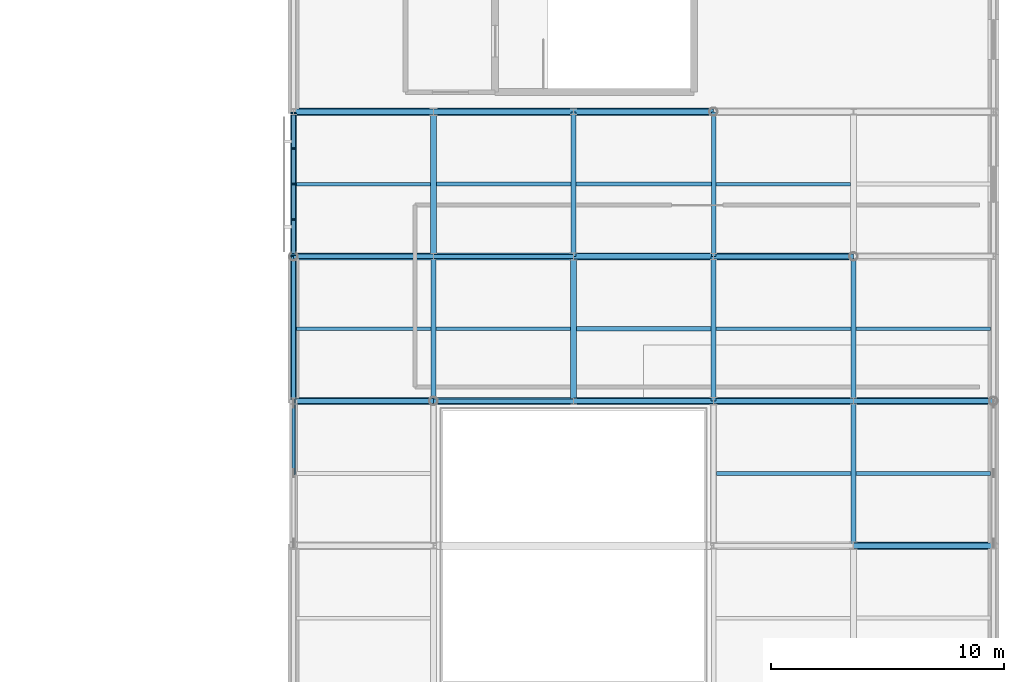
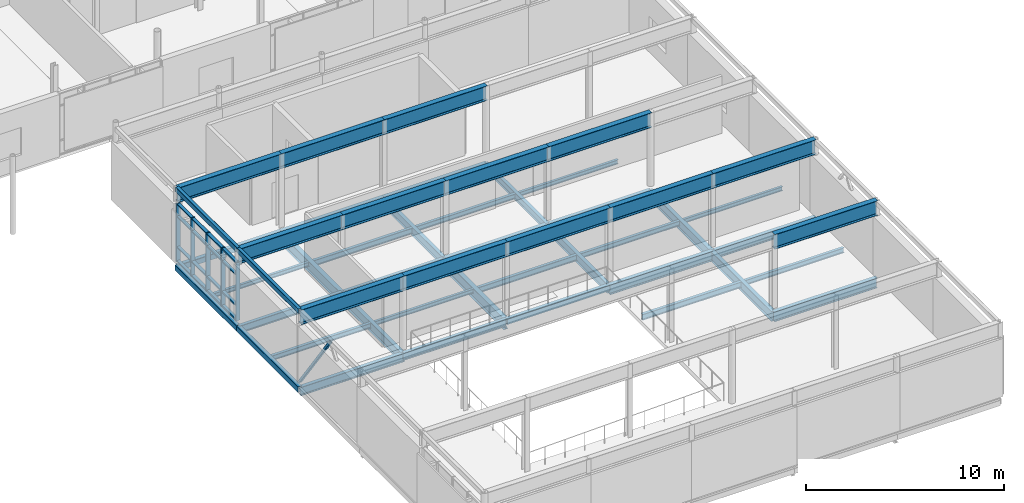
# One storey, part 39 of 84: 49 beams, 22 members, 1 element without a shape of its own.
"""IFC4 building model written with IfcOpenShell, lengths in metres."""

from ifc_helpers import new_model, si_unit, direction, frame, origin, origin_2d, place, context, subcontext, project, spatial, rectangle, hollow_rectangle, i_section, extrude, material, layer, layer_set, material_profile, profile_set, type_object, element, aggregate, save


model = new_model("IFC4")

# Units and contexts
model_context = context("Model", 3, precision=1e-05, world=origin(), true_north=direction((0.0, 1.0)))
body_context = subcontext(model_context, "Body", "Model", "MODEL_VIEW")
ifc_project = project(units=[si_unit("LENGTHUNIT", "METRE"), si_unit("AREAUNIT", "SQUARE_METRE"), si_unit("VOLUMEUNIT", "CUBIC_METRE"), si_unit("PLANEANGLEUNIT", "RADIAN"), si_unit("MASSUNIT", "GRAM", prefix="KILO")], contexts=[model_context])

# Site, building, storey
site_placement = place(None, origin())
site = spatial("IfcSite", under=ifc_project, at=site_placement, CompositionType="ELEMENT")
building_placement = place(site_placement, origin())
building = spatial("IfcBuilding", under=site, at=building_placement, Name="Mirzam Square Science Centre", CompositionType="ELEMENT")
storey_placement = place(building_placement, frame((0.0, 0.0, 10.800048828125)))
storey = spatial("IfcBuildingStorey", under=building, at=storey_placement, Name="L02", CompositionType="ELEMENT", Elevation=10.800048828125)

# Beams
ifc_material_1 = material(Name="Steel S355", Category="steel")
ifc_material_profile_1 = material_profile(ifc_material_1, i_section(OverallWidth=0.1787109375, OverallDepth=0.409423828125, WebThickness=0.0087890625, FlangeThickness=0.014404296875, FilletRadius=0.01025390625, at=origin_2d()), Name="406x178x67UB")
ifc_profile_set_1 = profile_set([ifc_material_profile_1], Name="Steel S355")
beam_type_1 = type_object("IfcBeamType", Name="BM-UB406", PredefinedType="BEAM", material=ifc_profile_set_1)
beam_1_placement = place(storey_placement, frame((138.0, 24.800048828125, -0.46484375), z_axis=(1.0, 0.0, 0.0), x_axis=(0.0, 1.0, 0.0)))
element("IfcBeam", 1, at=beam_1_placement, inside=storey, type_object=beam_type_1, Name="L02 girder X24-5", PredefinedType="BEAM", context=body_context, shape_type="SweptSolid", body=[
    extrude(i_section(OverallWidth=0.1787109375, OverallDepth=0.409423828125, WebThickness=0.0087890625, FlangeThickness=0.014404296875, FilletRadius=0.01025390625, at=origin_2d()), origin(), (0.0, 0.0, 1.0), 6.0),
])
ifc_material_profile_2 = material_profile(ifc_material_1, i_section(OverallWidth=0.19140625, OverallDepth=0.4599609375, WebThickness=0.010009765625, FlangeThickness=0.01611328125, FilletRadius=0.01025390625, at=origin_2d()), Name="457x191x82UB")
ifc_profile_set_2 = profile_set([ifc_material_profile_2], Name="Steel S355")
beam_type_2 = type_object("IfcBeamType", Name="BM-UB457", PredefinedType="BEAM", material=ifc_profile_set_2)
for number, where, z_axis, x_axis, name in (
    (2, (138.0, 18.60009765625, -0.489990234375), (1.0, 0.0, 0.0), (0.0, 1.0, 0.0), "L02 girder X24-4"),
    (3, (132.0, 24.800048828125, -0.489990234375), (1.0, 0.0, 0.0), (0.0, 1.0, 0.0), "L02 girder X23-5"),
):
    element("IfcBeam", number, at=place(storey_placement, frame(where, z_axis=z_axis, x_axis=x_axis)), inside=storey, type_object=beam_type_2, Name=name, PredefinedType="BEAM", context=body_context, shape_type="SweptSolid", body=[
        extrude(i_section(OverallWidth=0.19140625, OverallDepth=0.4599609375, WebThickness=0.010009765625, FlangeThickness=0.01611328125, FilletRadius=0.01025390625, at=origin_2d()), origin(), (0.0, 0.0, 1.0), 6.0),
    ])
beam_2_placement = place(storey_placement, frame((150.0, 24.800048828125, -0.489990234375), z_axis=(0.0, 1.0, 0.0), x_axis=(-1.0, 0.0, 0.0)))
element("IfcBeam", 4, at=beam_2_placement, inside=storey, type_object=beam_type_2, Name="L02 girder Y26-5", PredefinedType="BEAM", context=body_context, shape_type="SweptSolid", body=[
    extrude(i_section(OverallWidth=0.19140625, OverallDepth=0.4599609375, WebThickness=0.010009765625, FlangeThickness=0.01611328125, FilletRadius=0.01025390625, at=origin_2d()), origin(), (0.0, 0.0, 1.0), 6.199951171875),
])
ifc_material_profile_3 = material_profile(ifc_material_1, i_section(OverallWidth=0.2099609375, OverallDepth=0.53662109375, WebThickness=0.0107421875, FlangeThickness=0.017333984375, FilletRadius=0.0126953125, at=origin_2d()), Name="533x210x101UB")
ifc_profile_set_3 = profile_set([ifc_material_profile_3], Name="Steel S355")
beam_type_3 = type_object("IfcBeamType", Name="BM-UB533", PredefinedType="BEAM", material=ifc_profile_set_3)
for number, where, z_axis, x_axis, name in (
    (5, (132.0, 18.60009765625, -0.528564453125), (1.0, 0.0, 0.0), (0.0, 1.0, 0.0), "L02 girder X23-4"),
    (6, (156.0, 18.60009765625, -0.528564453125), (1.0, 0.0, 0.0), (0.0, 1.0, 0.0), "L02 girder X27-4"),
    (7, (150.0, 24.800048828125, -0.528564453125), (1.0, 0.0, 0.0), (0.0, 1.0, 0.0), "L02 girder X26-5"),
):
    element("IfcBeam", number, at=place(storey_placement, frame(where, z_axis=z_axis, x_axis=x_axis)), inside=storey, type_object=beam_type_3, Name=name, PredefinedType="BEAM", context=body_context, shape_type="SweptSolid", body=[
        extrude(i_section(OverallWidth=0.2099609375, OverallDepth=0.53662109375, WebThickness=0.0107421875, FlangeThickness=0.017333984375, FilletRadius=0.0126953125, at=origin_2d()), origin(), (0.0, 0.0, 1.0), 6.0),
    ])
for number, where, z_axis, x_axis, name in (
    (8, (144.0, 24.800048828125, -0.528564453125), (0.0, 1.0, 0.0), (-1.0, 0.0, 0.0), "L02 girder Y25-5"),
    (9, (150.0, 18.60009765625, -0.528564453125), (0.0, 1.0, 0.0), (-1.0, 0.0, 0.0), "L02 girder Y26-4"),
):
    element("IfcBeam", number, at=place(storey_placement, frame(where, z_axis=z_axis, x_axis=x_axis)), inside=storey, type_object=beam_type_3, Name=name, PredefinedType="BEAM", context=body_context, shape_type="SweptSolid", body=[
        extrude(i_section(OverallWidth=0.2099609375, OverallDepth=0.53662109375, WebThickness=0.0107421875, FlangeThickness=0.017333984375, FilletRadius=0.0126953125, at=origin_2d()), origin(), (0.0, 0.0, 1.0), 6.199951171875),
    ])
ifc_material_profile_4 = material_profile(ifc_material_1, i_section(OverallWidth=0.22900390625, OverallDepth=0.6123046875, WebThickness=0.011962890625, FlangeThickness=0.01953125, FilletRadius=0.0126953125, at=origin_2d()), Name="610x229x125UB")
ifc_profile_set_4 = profile_set([ifc_material_profile_4], Name="Steel S355")
beam_type_4 = type_object("IfcBeamType", Name="BM-UB610", PredefinedType="BEAM", material=ifc_profile_set_4)
for number, where, z_axis, x_axis, name in (
    (10, (156.0, 12.39990234375, -0.566162109375), (1.0, 0.0, 0.0), (0.0, 1.0, 0.0), "L02 girder X27-3"),
    (11, (150.0, 18.60009765625, -0.566162109375), (1.0, 0.0, 0.0), (0.0, 1.0, 0.0), "L02 girder X26-4"),
    (12, (144.0, 24.800048828125, -0.566162109375), (1.0, 0.0, 0.0), (0.0, 1.0, 0.0), "L02 girder X25-5"),
):
    element("IfcBeam", number, at=place(storey_placement, frame(where, z_axis=z_axis, x_axis=x_axis)), inside=storey, type_object=beam_type_4, Name=name, PredefinedType="BEAM", context=body_context, shape_type="SweptSolid", body=[
        extrude(i_section(OverallWidth=0.22900390625, OverallDepth=0.6123046875, WebThickness=0.011962890625, FlangeThickness=0.01953125, FilletRadius=0.0126953125, at=origin_2d()), origin(), (0.0, 0.0, 1.0), 6.0),
    ])
beam_3_placement = place(storey_placement, frame((138.0, 18.60009765625, -0.566162109375), z_axis=(0.0, 1.0, 0.0), x_axis=(-1.0, 0.0, 0.0)))
element("IfcBeam", 13, at=beam_3_placement, inside=storey, type_object=beam_type_4, Name="L02 girder Y24-4", PredefinedType="BEAM", context=body_context, shape_type="SweptSolid", body=[
    extrude(i_section(OverallWidth=0.22900390625, OverallDepth=0.6123046875, WebThickness=0.011962890625, FlangeThickness=0.01953125, FilletRadius=0.0126953125, at=origin_2d()), origin(), (0.0, 0.0, 1.0), 6.199951171875),
])
beam_4_placement = place(storey_placement, frame((156.0, 12.39990234375, -0.566162109375), z_axis=(0.0, 1.0, 0.0), x_axis=(-1.0, 0.0, 0.0)))
element("IfcBeam", 14, at=beam_4_placement, inside=storey, type_object=beam_type_4, Name="L02 girder Y27-3", PredefinedType="BEAM", context=body_context, shape_type="SweptSolid", body=[
    extrude(i_section(OverallWidth=0.22900390625, OverallDepth=0.6123046875, WebThickness=0.011962890625, FlangeThickness=0.01953125, FilletRadius=0.0126953125, at=origin_2d()), origin(), (0.0, 0.0, 1.0), 6.2001953125),
])
beam_5_placement = place(storey_placement, frame((156.0, 18.60009765625, -0.566162109375), z_axis=(0.0, 1.0, 0.0), x_axis=(-1.0, 0.0, 0.0)))
element("IfcBeam", 15, at=beam_5_placement, inside=storey, type_object=beam_type_4, Name="L02 girder Y27-4", PredefinedType="BEAM", context=body_context, shape_type="SweptSolid", body=[
    extrude(i_section(OverallWidth=0.22900390625, OverallDepth=0.6123046875, WebThickness=0.011962890625, FlangeThickness=0.01953125, FilletRadius=0.0126953125, at=origin_2d()), origin(), (0.0, 0.0, 1.0), 6.199951171875),
])
ifc_material_profile_5 = material_profile(ifc_material_1, i_section(OverallWidth=0.25439453125, OverallDepth=0.6875, WebThickness=0.01318359375, FlangeThickness=0.02099609375, FilletRadius=0.01513671875, at=origin_2d()), Name="686x254x152UB")
ifc_profile_set_5 = profile_set([ifc_material_profile_5], Name="Steel S355")
beam_type_5 = type_object("IfcBeamType", Name="BM-UB686", PredefinedType="BEAM", material=ifc_profile_set_5)
for number, where, z_axis, x_axis, name in (
    (16, (138.0, 24.800048828125, -0.603759765625), (0.0, 1.0, 0.0), (-1.0, 0.0, 0.0), "L02 girder Y24-5"),
    (17, (144.0, 18.60009765625, -0.603759765625), (0.0, 1.0, 0.0), (-1.0, 0.0, 0.0), "L02 girder Y25-4"),
):
    element("IfcBeam", number, at=place(storey_placement, frame(where, z_axis=z_axis, x_axis=x_axis)), inside=storey, type_object=beam_type_5, Name=name, PredefinedType="BEAM", context=body_context, shape_type="SweptSolid", body=[
        extrude(i_section(OverallWidth=0.25439453125, OverallDepth=0.6875, WebThickness=0.01318359375, FlangeThickness=0.02099609375, FilletRadius=0.01513671875, at=origin_2d()), origin(), (0.0, 0.0, 1.0), 6.199951171875),
    ])
ifc_material_profile_6 = material_profile(ifc_material_1, i_section(OverallWidth=0.30419921875, OverallDepth=0.910400390625, WebThickness=0.015869140625, FlangeThickness=0.02392578125, FilletRadius=0.01904296875, at=origin_2d()), Name="914x305x224UB")
ifc_profile_set_6 = profile_set([ifc_material_profile_6], Name="Steel S355")
beam_type_6 = type_object("IfcBeamType", Name="BM-UB914", PredefinedType="BEAM", material=ifc_profile_set_6)
for number, where, z_axis, x_axis, name in (
    (18, (156.0, 12.39990234375, 4.07470703125), (1.0, 0.0, 0.0), (0.0, 1.0, 0.0), "Theatre acoustic roof girder 27-3"),
    (19, (132.0, 18.60009765625, 4.07470703125), (1.0, 0.0, 0.0), (0.0, 1.0, 0.0), "Theatre acoustic roof girder 23-4"),
    (20, (138.0, 18.60009765625, 4.07470703125), (1.0, 0.0, 0.0), (0.0, 1.0, 0.0), "Theatre acoustic roof girder 24-4"),
    (21, (144.0, 18.60009765625, 4.07470703125), (1.0, 0.0, 0.0), (0.0, 1.0, 0.0), "Theatre acoustic roof girder 25-4"),
    (22, (150.0, 18.60009765625, 4.07470703125), (1.0, 0.0, 0.0), (0.0, 1.0, 0.0), "Theatre acoustic roof girder 26-4"),
    (23, (156.0, 18.60009765625, 4.07470703125), (1.0, 0.0, 0.0), (0.0, 1.0, 0.0), "Theatre acoustic roof girder 27-4"),
    (24, (132.0, 24.800048828125, 4.07470703125), (1.0, 0.0, 0.0), (0.0, 1.0, 0.0), "Theatre acoustic roof girder 23-5"),
    (25, (138.0, 24.800048828125, 4.07470703125), (1.0, 0.0, 0.0), (0.0, 1.0, 0.0), "Theatre acoustic roof girder 24-5"),
    (26, (144.0, 24.800048828125, 4.07470703125), (1.0, 0.0, 0.0), (0.0, 1.0, 0.0), "Theatre acoustic roof girder 25-5"),
    (27, (150.0, 24.800048828125, 4.07470703125), (1.0, 0.0, 0.0), (0.0, 1.0, 0.0), "Theatre acoustic roof girder 26-5"),
    (28, (132.0, 31.0, 4.07470703125), (1.0, 0.0, 0.0), (0.0, 1.0, 0.0), "Theatre acoustic roof girder 23-6"),
    (29, (138.0, 31.0, 4.07470703125), (1.0, 0.0, 0.0), (0.0, 1.0, 0.0), "Theatre acoustic roof girder 24-6"),
    (30, (144.0, 31.0, 4.07470703125), (1.0, 0.0, 0.0), (0.0, 1.0, 0.0), "Theatre acoustic roof girder 25-6"),
):
    element("IfcBeam", number, at=place(storey_placement, frame(where, z_axis=z_axis, x_axis=x_axis)), inside=storey, type_object=beam_type_6, Name=name, PredefinedType="BEAM", context=body_context, shape_type="SweptSolid", body=[
        extrude(i_section(OverallWidth=0.30419921875, OverallDepth=0.910400390625, WebThickness=0.015869140625, FlangeThickness=0.02392578125, FilletRadius=0.01904296875, at=origin_2d()), origin(), (0.0, 0.0, 1.0), 6.0),
    ])

# Member
ifc_material_profile_7 = material_profile(ifc_material_1, hollow_rectangle(XDim=0.14990234375, YDim=0.14990234375, WallThickness=0.008056640625, InnerFilletRadius=0.008056640625, OuterFilletRadius=0.01611328125, at=origin_2d()), Name="150x150x8.0SHS")
ifc_profile_set_7 = profile_set([ifc_material_profile_7], Name="Steel S355")
member_type_1 = type_object("IfcMemberType", Name="BR-SHS150", PredefinedType="BRACE", material=ifc_profile_set_7)
member_1_placement = place(storey_placement, frame((132.0, 18.60009765625, 0.050048828125), z_axis=(0.0, -0.582152888192, 0.813079341005), x_axis=(1.0, 0.0, 0.0)))
element("IfcMember", 31, at=member_1_placement, inside=storey, type_object=member_type_1, Name="L02 chevron brace 6B", PredefinedType="BRACE", context=body_context, shape_type="SweptSolid", body=[
    extrude(hollow_rectangle(XDim=0.14990234375, YDim=0.14990234375, WallThickness=0.008056640625, InnerFilletRadius=0.008056640625, OuterFilletRadius=0.01611328125, at=origin_2d()), origin(), (0.0, 0.0, 1.0), 5.3251953125),
])

# Curtain wall, members
ifc_material_2 = material(Name="Anodised Aluminium and Low-E Solar Glass", Category="aluminium")
ifc_layer = layer(ifc_material_2, 0.179931640625)
ifc_layer_set = layer_set([ifc_layer], Name="CW-PARK-A")
curtain_wall_type = type_object("IfcCurtainWallType", Name="CW-PARK-A", PredefinedType="USERDEFINED", material=ifc_layer_set)
curtain_wall_placement = place(storey_placement, origin())
curtain_wall = element("IfcCurtainWall", 32, at=curtain_wall_placement, inside=storey, type_object=curtain_wall_type, Name="L02 unitised curtain wall 63", ObjectType="UNITISED CURTAIN WALL", PredefinedType="USERDEFINED")
ifc_material_3 = material(Name="Anodised Architectural Aluminium 6063-T6", Category="aluminium")
ifc_material_profile_8 = material_profile(ifc_material_3, rectangle(XDim=0.074951171875, YDim=0.239990234375, at=origin_2d()), Name="ALU-MULL-240x75x5")
ifc_profile_set_8 = profile_set([ifc_material_profile_8], Name="Anodised Architectural Aluminium 6063-T6")
member_type_2 = type_object("IfcMemberType", Name="CWM-240", PredefinedType="MULLION", material=ifc_profile_set_8)
member_2_placement = place(storey_placement, frame((132.0, 30.907470703125, 0.0), z_axis=(0.0, 0.0, 1.0), x_axis=(0.0, -1.0, 0.0)))
member_2 = element("IfcMember", 33, at=member_2_placement, type_object=member_type_2, Name="CW-01 mullion 1", PredefinedType="MULLION", context=body_context, shape_type="SweptSolid", body=[
    extrude(rectangle(XDim=0.074951171875, YDim=0.239990234375, at=origin_2d()), origin(), (0.0, 0.0, 1.0), 3.579833984375),
])
member_3_placement = place(storey_placement, frame((132.0, 29.422607421875, 0.0), z_axis=(0.0, 0.0, 1.0), x_axis=(0.0, -1.0, 0.0)))
member_3 = element("IfcMember", 34, at=member_3_placement, type_object=member_type_2, Name="CW-01 mullion 2", PredefinedType="MULLION", context=body_context, shape_type="SweptSolid", body=[
    extrude(rectangle(XDim=0.074951171875, YDim=0.239990234375, at=origin_2d()), origin(), (0.0, 0.0, 1.0), 3.579833984375),
])
member_4_placement = place(storey_placement, frame((132.0, 27.89990234375, 0.0), z_axis=(0.0, 0.0, 1.0), x_axis=(0.0, -1.0, 0.0)))
member_4 = element("IfcMember", 35, at=member_4_placement, type_object=member_type_2, Name="CW-01 mullion 3", PredefinedType="MULLION", context=body_context, shape_type="SweptSolid", body=[
    extrude(rectangle(XDim=0.074951171875, YDim=0.239990234375, at=origin_2d()), origin(), (0.0, 0.0, 1.0), 3.579833984375),
])
member_5_placement = place(storey_placement, frame((132.0, 26.37744140625, 0.0), z_axis=(0.0, 0.0, 1.0), x_axis=(0.0, -1.0, 0.0)))
member_5 = element("IfcMember", 36, at=member_5_placement, type_object=member_type_2, Name="CW-01 mullion 4", PredefinedType="MULLION", context=body_context, shape_type="SweptSolid", body=[
    extrude(rectangle(XDim=0.074951171875, YDim=0.239990234375, at=origin_2d()), origin(), (0.0, 0.0, 1.0), 3.579833984375),
])
member_6_placement = place(storey_placement, frame((132.0, 24.892578125, 0.0), z_axis=(0.0, 0.0, 1.0), x_axis=(0.0, -1.0, 0.0)))
member_6 = element("IfcMember", 37, at=member_6_placement, type_object=member_type_2, Name="CW-01 mullion 5", PredefinedType="MULLION", context=body_context, shape_type="SweptSolid", body=[
    extrude(rectangle(XDim=0.074951171875, YDim=0.239990234375, at=origin_2d()), origin(), (0.0, 0.0, 1.0), 3.579833984375),
])
ifc_material_profile_9 = material_profile(ifc_material_3, rectangle(XDim=0.179931640625, YDim=0.074951171875, at=origin_2d()), Name="ALU-TRAN-180x75x5")
ifc_profile_set_9 = profile_set([ifc_material_profile_9], Name="Anodised Architectural Aluminium 6063-T6")
member_type_3 = type_object("IfcMemberType", Name="CWT-180", PredefinedType="USERDEFINED", material=ifc_profile_set_9)
member_7_placement = place(storey_placement, frame((132.0, 30.8701171875, 0.037353515625), z_axis=(0.0, -1.0, 0.0), x_axis=(1.0, 0.0, 0.0)))
member_7 = element("IfcMember", 38, at=member_7_placement, type_object=member_type_3, Name="CW-01 transom 1.1", ObjectType="TRANSOM", PredefinedType="USERDEFINED", context=body_context, shape_type="SweptSolid", body=[
    extrude(rectangle(XDim=0.179931640625, YDim=0.074951171875, at=origin_2d()), origin(), (0.0, 0.0, 1.0), 1.41015625),
])
member_8_placement = place(storey_placement, frame((132.0, 30.8701171875, 0.89990234375), z_axis=(0.0, -1.0, 0.0), x_axis=(1.0, 0.0, 0.0)))
member_8 = element("IfcMember", 39, at=member_8_placement, type_object=member_type_3, Name="CW-01 transom 1.2", ObjectType="TRANSOM", PredefinedType="USERDEFINED", context=body_context, shape_type="SweptSolid", body=[
    extrude(rectangle(XDim=0.179931640625, YDim=0.074951171875, at=origin_2d()), origin(), (0.0, 0.0, 1.0), 1.41015625),
])
member_9_placement = place(storey_placement, frame((132.0, 30.8701171875, 2.780029296875), z_axis=(0.0, -1.0, 0.0), x_axis=(1.0, 0.0, 0.0)))
member_9 = element("IfcMember", 40, at=member_9_placement, type_object=member_type_3, Name="CW-01 transom 1.3", ObjectType="TRANSOM", PredefinedType="USERDEFINED", context=body_context, shape_type="SweptSolid", body=[
    extrude(rectangle(XDim=0.179931640625, YDim=0.074951171875, at=origin_2d()), origin(), (0.0, 0.0, 1.0), 1.41015625),
])
member_10_placement = place(storey_placement, frame((132.0, 30.8701171875, 3.54248046875), z_axis=(0.0, -1.0, 0.0), x_axis=(1.0, 0.0, 0.0)))
member_10 = element("IfcMember", 41, at=member_10_placement, type_object=member_type_3, Name="CW-01 transom 1.4", ObjectType="TRANSOM", PredefinedType="USERDEFINED", context=body_context, shape_type="SweptSolid", body=[
    extrude(rectangle(XDim=0.179931640625, YDim=0.074951171875, at=origin_2d()), origin(), (0.0, 0.0, 1.0), 1.41015625),
])
member_11_placement = place(storey_placement, frame((132.0, 29.385009765625, 0.037353515625), z_axis=(0.0, -1.0, 0.0), x_axis=(1.0, 0.0, 0.0)))
member_11 = element("IfcMember", 42, at=member_11_placement, type_object=member_type_3, Name="CW-01 transom 2.1", ObjectType="TRANSOM", PredefinedType="USERDEFINED", context=body_context, shape_type="SweptSolid", body=[
    extrude(rectangle(XDim=0.179931640625, YDim=0.074951171875, at=origin_2d()), origin(), (0.0, 0.0, 1.0), 1.447509765625),
])
member_12_placement = place(storey_placement, frame((132.0, 29.385009765625, 0.89990234375), z_axis=(0.0, -1.0, 0.0), x_axis=(1.0, 0.0, 0.0)))
member_12 = element("IfcMember", 43, at=member_12_placement, type_object=member_type_3, Name="CW-01 transom 2.2", ObjectType="TRANSOM", PredefinedType="USERDEFINED", context=body_context, shape_type="SweptSolid", body=[
    extrude(rectangle(XDim=0.179931640625, YDim=0.074951171875, at=origin_2d()), origin(), (0.0, 0.0, 1.0), 1.447509765625),
])
member_13_placement = place(storey_placement, frame((132.0, 29.385009765625, 2.780029296875), z_axis=(0.0, -1.0, 0.0), x_axis=(1.0, 0.0, 0.0)))
member_13 = element("IfcMember", 44, at=member_13_placement, type_object=member_type_3, Name="CW-01 transom 2.3", ObjectType="TRANSOM", PredefinedType="USERDEFINED", context=body_context, shape_type="SweptSolid", body=[
    extrude(rectangle(XDim=0.179931640625, YDim=0.074951171875, at=origin_2d()), origin(), (0.0, 0.0, 1.0), 1.447509765625),
])
member_14_placement = place(storey_placement, frame((132.0, 29.385009765625, 3.54248046875), z_axis=(0.0, -1.0, 0.0), x_axis=(1.0, 0.0, 0.0)))
member_14 = element("IfcMember", 45, at=member_14_placement, type_object=member_type_3, Name="CW-01 transom 2.4", ObjectType="TRANSOM", PredefinedType="USERDEFINED", context=body_context, shape_type="SweptSolid", body=[
    extrude(rectangle(XDim=0.179931640625, YDim=0.074951171875, at=origin_2d()), origin(), (0.0, 0.0, 1.0), 1.447509765625),
])
member_15_placement = place(storey_placement, frame((132.0, 27.862548828125, 0.037353515625), z_axis=(0.0, -1.0, 0.0), x_axis=(1.0, 0.0, 0.0)))
member_15 = element("IfcMember", 46, at=member_15_placement, type_object=member_type_3, Name="CW-01 transom 3.1", ObjectType="TRANSOM", PredefinedType="USERDEFINED", context=body_context, shape_type="SweptSolid", body=[
    extrude(rectangle(XDim=0.179931640625, YDim=0.074951171875, at=origin_2d()), origin(), (0.0, 0.0, 1.0), 1.447509765625),
])
member_16_placement = place(storey_placement, frame((132.0, 27.862548828125, 0.89990234375), z_axis=(0.0, -1.0, 0.0), x_axis=(1.0, 0.0, 0.0)))
member_16 = element("IfcMember", 47, at=member_16_placement, type_object=member_type_3, Name="CW-01 transom 3.2", ObjectType="TRANSOM", PredefinedType="USERDEFINED", context=body_context, shape_type="SweptSolid", body=[
    extrude(rectangle(XDim=0.179931640625, YDim=0.074951171875, at=origin_2d()), origin(), (0.0, 0.0, 1.0), 1.447509765625),
])
member_17_placement = place(storey_placement, frame((132.0, 27.862548828125, 2.780029296875), z_axis=(0.0, -1.0, 0.0), x_axis=(1.0, 0.0, 0.0)))
member_17 = element("IfcMember", 48, at=member_17_placement, type_object=member_type_3, Name="CW-01 transom 3.3", ObjectType="TRANSOM", PredefinedType="USERDEFINED", context=body_context, shape_type="SweptSolid", body=[
    extrude(rectangle(XDim=0.179931640625, YDim=0.074951171875, at=origin_2d()), origin(), (0.0, 0.0, 1.0), 1.447509765625),
])
member_18_placement = place(storey_placement, frame((132.0, 27.862548828125, 3.54248046875), z_axis=(0.0, -1.0, 0.0), x_axis=(1.0, 0.0, 0.0)))
member_18 = element("IfcMember", 49, at=member_18_placement, type_object=member_type_3, Name="CW-01 transom 3.4", ObjectType="TRANSOM", PredefinedType="USERDEFINED", context=body_context, shape_type="SweptSolid", body=[
    extrude(rectangle(XDim=0.179931640625, YDim=0.074951171875, at=origin_2d()), origin(), (0.0, 0.0, 1.0), 1.447509765625),
])
member_19_placement = place(storey_placement, frame((132.0, 26.340087890625, 0.037353515625), z_axis=(0.0, -1.0, 0.0), x_axis=(1.0, 0.0, 0.0)))
member_19 = element("IfcMember", 50, at=member_19_placement, type_object=member_type_3, Name="CW-01 transom 4.1", ObjectType="TRANSOM", PredefinedType="USERDEFINED", context=body_context, shape_type="SweptSolid", body=[
    extrude(rectangle(XDim=0.179931640625, YDim=0.074951171875, at=origin_2d()), origin(), (0.0, 0.0, 1.0), 1.41015625),
])
member_20_placement = place(storey_placement, frame((132.0, 26.340087890625, 0.89990234375), z_axis=(0.0, -1.0, 0.0), x_axis=(1.0, 0.0, 0.0)))
member_20 = element("IfcMember", 51, at=member_20_placement, type_object=member_type_3, Name="CW-01 transom 4.2", ObjectType="TRANSOM", PredefinedType="USERDEFINED", context=body_context, shape_type="SweptSolid", body=[
    extrude(rectangle(XDim=0.179931640625, YDim=0.074951171875, at=origin_2d()), origin(), (0.0, 0.0, 1.0), 1.41015625),
])
member_21_placement = place(storey_placement, frame((132.0, 26.340087890625, 2.780029296875), z_axis=(0.0, -1.0, 0.0), x_axis=(1.0, 0.0, 0.0)))
member_21 = element("IfcMember", 52, at=member_21_placement, type_object=member_type_3, Name="CW-01 transom 4.3", ObjectType="TRANSOM", PredefinedType="USERDEFINED", context=body_context, shape_type="SweptSolid", body=[
    extrude(rectangle(XDim=0.179931640625, YDim=0.074951171875, at=origin_2d()), origin(), (0.0, 0.0, 1.0), 1.41015625),
])
member_22_placement = place(storey_placement, frame((132.0, 26.340087890625, 3.54248046875), z_axis=(0.0, -1.0, 0.0), x_axis=(1.0, 0.0, 0.0)))
member_22 = element("IfcMember", 53, at=member_22_placement, type_object=member_type_3, Name="CW-01 transom 4.4", ObjectType="TRANSOM", PredefinedType="USERDEFINED", context=body_context, shape_type="SweptSolid", body=[
    extrude(rectangle(XDim=0.179931640625, YDim=0.074951171875, at=origin_2d()), origin(), (0.0, 0.0, 1.0), 1.41015625),
])
aggregate(curtain_wall, [member_2, member_3, member_4, member_5, member_6, member_7, member_8, member_9, member_10, member_11, member_12, member_13, member_14, member_15, member_16, member_17, member_18, member_19, member_20, member_21, member_22])

# Beams
ifc_material_profile_10 = material_profile(ifc_material_1, i_section(OverallWidth=0.146484375, OverallDepth=0.256103515625, WebThickness=0.00634765625, FlangeThickness=0.010986328125, FilletRadius=0.007568359375, at=origin_2d()), Name="254x146x37UB")
ifc_profile_set_10 = profile_set([ifc_material_profile_10], Name="Steel S355")
beam_type_7 = type_object("IfcBeamType", Name="JS-UB254", PredefinedType="JOIST", material=ifc_profile_set_10)
beam_6_placement = place(storey_placement, frame((132.125, 27.89990234375, -0.387939453125), z_axis=(1.0, 0.0, 0.0), x_axis=(0.0, 1.0, 0.0)))
element("IfcBeam", 54, at=beam_6_placement, inside=storey, type_object=beam_type_7, Name="L02 composite joist 23-5", PredefinedType="JOIST", context=body_context, shape_type="SweptSolid", body=[
    extrude(i_section(OverallWidth=0.146484375, OverallDepth=0.256103515625, WebThickness=0.00634765625, FlangeThickness=0.010986328125, FilletRadius=0.007568359375, at=origin_2d()), origin(), (0.0, 0.0, 1.0), 5.747802734375),
])
beam_7_placement = place(storey_placement, frame((138.114501953125, 21.699951171875, -0.387939453125), z_axis=(1.0, 0.0, 0.0), x_axis=(0.0, 1.0, 0.0)))
element("IfcBeam", 55, at=beam_7_placement, inside=storey, type_object=beam_type_7, Name="L02 composite joist 24-4", PredefinedType="JOIST", context=body_context, shape_type="SweptSolid", body=[
    extrude(i_section(OverallWidth=0.146484375, OverallDepth=0.256103515625, WebThickness=0.00634765625, FlangeThickness=0.010986328125, FilletRadius=0.007568359375, at=origin_2d()), origin(), (0.0, 0.0, 1.0), 5.75830078125),
])
beam_8_placement = place(storey_placement, frame((150.095703125, 27.89990234375, -0.387939453125), z_axis=(1.0, 0.0, 0.0), x_axis=(0.0, 1.0, 0.0)))
element("IfcBeam", 56, at=beam_8_placement, inside=storey, type_object=beam_type_7, Name="L02 composite joist 26-5", PredefinedType="JOIST", context=body_context, shape_type="SweptSolid", body=[
    extrude(i_section(OverallWidth=0.146484375, OverallDepth=0.256103515625, WebThickness=0.00634765625, FlangeThickness=0.010986328125, FilletRadius=0.007568359375, at=origin_2d()), origin(), (0.0, 0.0, 1.0), 5.777099609375),
])
beam_9_placement = place(storey_placement, frame((156.114501953125, 21.699951171875, -0.387939453125), z_axis=(1.0, 0.0, 0.0), x_axis=(0.0, 1.0, 0.0)))
element("IfcBeam", 57, at=beam_9_placement, inside=storey, type_object=beam_type_7, Name="L02 composite joist 27-4", PredefinedType="JOIST", context=body_context, shape_type="SweptSolid", body=[
    extrude(i_section(OverallWidth=0.146484375, OverallDepth=0.256103515625, WebThickness=0.00634765625, FlangeThickness=0.010986328125, FilletRadius=0.007568359375, at=origin_2d()), origin(), (0.0, 0.0, 1.0), 5.760498046875),
])
ifc_material_profile_11 = material_profile(ifc_material_1, i_section(OverallWidth=0.165771484375, OverallDepth=0.306640625, WebThickness=0.006591796875, FlangeThickness=0.01171875, FilletRadius=0.0087890625, at=origin_2d()), Name="305x165x46UB")
ifc_profile_set_11 = profile_set([ifc_material_profile_11], Name="Steel S355")
beam_type_8 = type_object("IfcBeamType", Name="JS-UB305", PredefinedType="JOIST", material=ifc_profile_set_11)
beam_10_placement = place(storey_placement, frame((132.125, 21.699951171875, -0.413330078125), z_axis=(1.0, 0.0, 0.0), x_axis=(0.0, 1.0, 0.0)))
element("IfcBeam", 58, at=beam_10_placement, inside=storey, type_object=beam_type_8, Name="L02 composite joist 23-4", PredefinedType="JOIST", context=body_context, shape_type="SweptSolid", body=[
    extrude(i_section(OverallWidth=0.165771484375, OverallDepth=0.306640625, WebThickness=0.006591796875, FlangeThickness=0.01171875, FilletRadius=0.0087890625, at=origin_2d()), origin(), (0.0, 0.0, 1.0), 5.760498046875),
])
beam_11_placement = place(storey_placement, frame((144.10498046875, 27.89990234375, -0.413330078125), z_axis=(1.0, 0.0, 0.0), x_axis=(0.0, 1.0, 0.0)))
element("IfcBeam", 59, at=beam_11_placement, inside=storey, type_object=beam_type_8, Name="L02 composite joist 25-5", PredefinedType="JOIST", context=body_context, shape_type="SweptSolid", body=[
    extrude(i_section(OverallWidth=0.165771484375, OverallDepth=0.306640625, WebThickness=0.006591796875, FlangeThickness=0.01171875, FilletRadius=0.0087890625, at=origin_2d()), origin(), (0.0, 0.0, 1.0), 5.79931640625),
])
beam_12_placement = place(storey_placement, frame((150.10498046875, 21.699951171875, -0.413330078125), z_axis=(1.0, 0.0, 0.0), x_axis=(0.0, 1.0, 0.0)))
element("IfcBeam", 60, at=beam_12_placement, inside=storey, type_object=beam_type_8, Name="L02 composite joist 26-4", PredefinedType="JOIST", context=body_context, shape_type="SweptSolid", body=[
    extrude(i_section(OverallWidth=0.165771484375, OverallDepth=0.306640625, WebThickness=0.006591796875, FlangeThickness=0.01171875, FilletRadius=0.0087890625, at=origin_2d()), origin(), (0.0, 0.0, 1.0), 5.780517578125),
])
beam_13_placement = place(storey_placement, frame((156.114501953125, 15.5, -0.413330078125), z_axis=(1.0, 0.0, 0.0), x_axis=(0.0, 1.0, 0.0)))
element("IfcBeam", 61, at=beam_13_placement, inside=storey, type_object=beam_type_8, Name="L02 composite joist 27-3", PredefinedType="JOIST", context=body_context, shape_type="SweptSolid", body=[
    extrude(i_section(OverallWidth=0.165771484375, OverallDepth=0.306640625, WebThickness=0.006591796875, FlangeThickness=0.01171875, FilletRadius=0.0087890625, at=origin_2d()), origin(), (0.0, 0.0, 1.0), 5.760498046875),
])
ifc_material_profile_12 = material_profile(ifc_material_1, i_section(OverallWidth=0.172119140625, OverallDepth=0.35791015625, WebThickness=0.008056640625, FlangeThickness=0.012939453125, FilletRadius=0.01025390625, at=origin_2d()), Name="356x171x57UB")
ifc_profile_set_12 = profile_set([ifc_material_profile_12], Name="Steel S355")
beam_type_9 = type_object("IfcBeamType", Name="JS-UB356", PredefinedType="JOIST", material=ifc_profile_set_12)
for number, where, z_axis, x_axis, name in (
    (62, (138.127197265625, 27.89990234375, -0.43896484375), (1.0, 0.0, 0.0), (0.0, 1.0, 0.0), "L02 composite joist 24-5"),
    (63, (144.127197265625, 21.699951171875, -0.43896484375), (1.0, 0.0, 0.0), (0.0, 1.0, 0.0), "L02 composite joist 25-4"),
):
    element("IfcBeam", number, at=place(storey_placement, frame(where, z_axis=z_axis, x_axis=x_axis)), inside=storey, type_object=beam_type_9, Name=name, PredefinedType="JOIST", context=body_context, shape_type="SweptSolid", body=[
        extrude(i_section(OverallWidth=0.172119140625, OverallDepth=0.35791015625, WebThickness=0.008056640625, FlangeThickness=0.012939453125, FilletRadius=0.01025390625, at=origin_2d()), origin(), (0.0, 0.0, 1.0), 5.767822265625),
    ])
beam_14_placement = place(storey_placement, frame((150.125, 15.5, -0.43896484375), z_axis=(1.0, 0.0, 0.0), x_axis=(0.0, 1.0, 0.0)))
element("IfcBeam", 64, at=beam_14_placement, inside=storey, type_object=beam_type_9, Name="L02 composite joist 26-3", PredefinedType="JOIST", context=body_context, shape_type="SweptSolid", body=[
    extrude(i_section(OverallWidth=0.172119140625, OverallDepth=0.35791015625, WebThickness=0.008056640625, FlangeThickness=0.012939453125, FilletRadius=0.01025390625, at=origin_2d()), origin(), (0.0, 0.0, 1.0), 5.760498046875),
])
ifc_material_profile_13 = material_profile(ifc_material_1, hollow_rectangle(XDim=0.199951171875, YDim=0.300048828125, WallThickness=0.010009765625, InnerFilletRadius=0.010009765625, OuterFilletRadius=0.02001953125, at=origin_2d()), Name="300x200x10.0RHS")
ifc_profile_set_13 = profile_set([ifc_material_profile_13], Name="Steel S355")
beam_type_10 = type_object("IfcBeamType", Name="SP-RHS300", PredefinedType="SPANDREL", material=ifc_profile_set_13)
for number, where, z_axis, x_axis, name in (
    (65, (132.0, 18.60009765625, 4.3798828125), (0.0, 1.0, 0.0), (-1.0, 0.0, 0.0), "Theatre roof edge beam X23-4"),
    (66, (132.0, 24.800048828125, 4.3798828125), (0.0, 1.0, 0.0), (-1.0, 0.0, 0.0), "Theatre roof edge beam X23-5"),
):
    element("IfcBeam", number, at=place(storey_placement, frame(where, z_axis=z_axis, x_axis=x_axis)), inside=storey, type_object=beam_type_10, Name=name, PredefinedType="SPANDREL", context=body_context, shape_type="SweptSolid", body=[
        extrude(hollow_rectangle(XDim=0.199951171875, YDim=0.300048828125, WallThickness=0.010009765625, InnerFilletRadius=0.010009765625, OuterFilletRadius=0.02001953125, at=origin_2d()), origin(), (0.0, 0.0, 1.0), 6.199951171875),
    ])
ifc_material_profile_14 = material_profile(ifc_material_1, hollow_rectangle(XDim=0.25, YDim=0.35009765625, WallThickness=0.012451171875, InnerFilletRadius=0.012451171875, OuterFilletRadius=0.02490234375, at=origin_2d()), Name="350x250x12.5RHS")
ifc_profile_set_14 = profile_set([ifc_material_profile_14], Name="Steel S355")
beam_type_11 = type_object("IfcBeamType", Name="SP-RHS350", PredefinedType="SPANDREL", material=ifc_profile_set_14)
for number, where, z_axis, x_axis, name in (
    (67, (144.0, 18.60009765625, -0.43505859375), (1.0, 0.0, 0.0), (0.0, 1.0, 0.0), "L02 girder X25-4"),
    (68, (132.0, 31.0, -0.43505859375), (1.0, 0.0, 0.0), (0.0, 1.0, 0.0), "L02 girder X23-6"),
    (69, (138.0, 31.0, -0.43505859375), (1.0, 0.0, 0.0), (0.0, 1.0, 0.0), "L02 girder X24-6"),
    (70, (144.0, 31.0, -0.43505859375), (1.0, 0.0, 0.0), (0.0, 1.0, 0.0), "L02 girder X25-6"),
):
    element("IfcBeam", number, at=place(storey_placement, frame(where, z_axis=z_axis, x_axis=x_axis)), inside=storey, type_object=beam_type_11, Name=name, PredefinedType="SPANDREL", context=body_context, shape_type="SweptSolid", body=[
        extrude(hollow_rectangle(XDim=0.25, YDim=0.35009765625, WallThickness=0.012451171875, InnerFilletRadius=0.012451171875, OuterFilletRadius=0.02490234375, at=origin_2d()), origin(), (0.0, 0.0, 1.0), 6.0),
    ])
for number, where, z_axis, x_axis, name in (
    (71, (132.0, 18.60009765625, -0.43505859375), (0.0, 1.0, 0.0), (-1.0, 0.0, 0.0), "L02 girder Y23-4"),
    (72, (132.0, 24.800048828125, -0.43505859375), (0.0, 1.0, 0.0), (-1.0, 0.0, 0.0), "L02 girder Y23-5"),
):
    element("IfcBeam", number, at=place(storey_placement, frame(where, z_axis=z_axis, x_axis=x_axis)), inside=storey, type_object=beam_type_11, Name=name, PredefinedType="SPANDREL", context=body_context, shape_type="SweptSolid", body=[
        extrude(hollow_rectangle(XDim=0.25, YDim=0.35009765625, WallThickness=0.012451171875, InnerFilletRadius=0.012451171875, OuterFilletRadius=0.02490234375, at=origin_2d()), origin(), (0.0, 0.0, 1.0), 6.199951171875),
    ])

save(model, "model.ifc")
